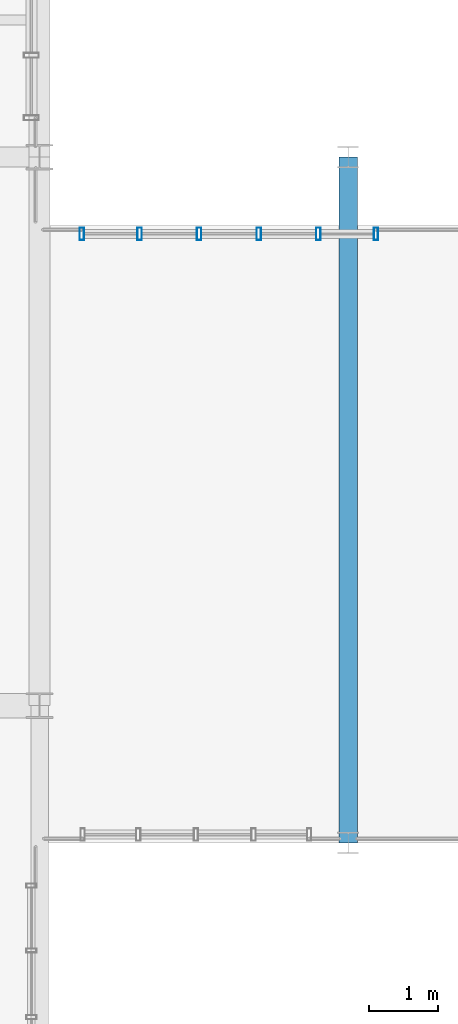
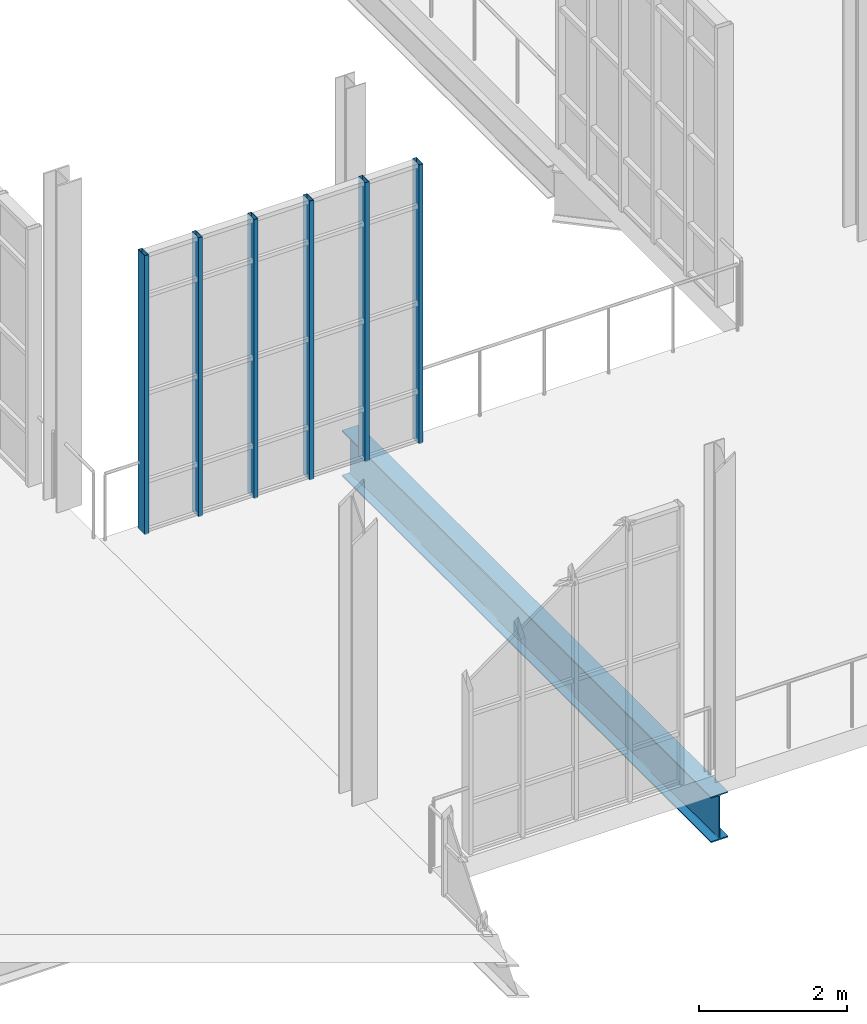
# One storey, part 25 of 189: 6 members, 1 beam, 1 element without a shape of its own.
"""IFC4 building model written with IfcOpenShell, lengths in metres."""

from ifc_helpers import new_model, si_unit, direction, frame, origin, origin_2d, place, context, subcontext, project, spatial, hollow_rectangle, i_section, extrude, material, layer, layer_set, material_profile, profile_set, type_object, element, aggregate, save


model = new_model("IFC4")

# Units and contexts
model_context = context("Model", 3, precision=1e-05, world=origin(), true_north=direction((0.0, 1.0)))
body_context = subcontext(model_context, "Body", "Model", "MODEL_VIEW")
ifc_project = project(units=[si_unit("LENGTHUNIT", "METRE"), si_unit("AREAUNIT", "SQUARE_METRE"), si_unit("VOLUMEUNIT", "CUBIC_METRE"), si_unit("PLANEANGLEUNIT", "RADIAN"), si_unit("MASSUNIT", "GRAM", prefix="KILO"), si_unit("THERMODYNAMICTEMPERATUREUNIT", "KELVIN"), si_unit("POWERUNIT", "WATT")], contexts=[model_context])

# Site, building, storey
site_placement = place(None, origin())
site = spatial("IfcSite", under=ifc_project, at=site_placement, CompositionType="ELEMENT")
building_placement = place(site_placement, origin())
building = spatial("IfcBuilding", under=site, at=building_placement, Name="Zelmaris Science Centre", CompositionType="ELEMENT")
storey_placement = place(building_placement, origin())
storey = spatial("IfcBuildingStorey", under=building, at=storey_placement, Name="L00", CompositionType="ELEMENT", Elevation=0.0)

# Curtain wall, members
ifc_material_1 = material(Name="Anodised architectural aluminium 6063-T6", Category="aluminium")
ifc_layer = layer(ifc_material_1, 0.2099609375, Name="Anodised architectural aluminium 6063-T6")
ifc_layer_set = layer_set([ifc_layer], Name="Anodised architectural aluminium 6063-T6")
curtain_wall_type = type_object("IfcCurtainWallType", Name="Curtain Wall CW-03", PredefinedType="USERDEFINED", material=ifc_layer_set)
curtain_wall_placement = place(storey_placement, origin())
curtain_wall = element("IfcCurtainWall", 1, at=curtain_wall_placement, inside=storey, type_object=curtain_wall_type, Name="L00 Unitised curtain wall 47", ObjectType="GLAZED CURTAIN WALL", PredefinedType="USERDEFINED")
ifc_material_profile_1 = material_profile(ifc_material_1, hollow_rectangle(XDim=0.06494140625, YDim=0.179931640625, WallThickness=0.00390625, at=origin_2d()), Name="ALU-MUL-65X180")
ifc_profile_set_1 = profile_set([ifc_material_profile_1], Name="Anodised architectural aluminium 6063-T6")
member_type = type_object("IfcMemberType", Name="ALU-MUL-65X180", PredefinedType="MULLION", material=ifc_profile_set_1)
member_1_placement = place(storey_placement, frame((54.61669921875, 30.881103515625, -0.014892578125), z_axis=(0.0, 0.0, 1.0), x_axis=(0.999999993163, -0.00011693706, 0.0)))
member_1 = element("IfcMember", 2, at=member_1_placement, type_object=member_type, Name="CW-03 mullion 1", PredefinedType="MULLION", context=body_context, shape_type="SweptSolid", body=[
    extrude(hollow_rectangle(XDim=0.06494140625, YDim=0.179931640625, WallThickness=0.00390625, at=origin_2d()), origin(), (0.0, 0.0, 1.0), 4.614990234375),
])
member_2_placement = place(storey_placement, frame((55.45751953125, 30.881103515625, -0.014892578125), z_axis=(0.0, 0.0, 1.0), x_axis=(0.999999993163, -0.00011693706, 0.0)))
member_2 = element("IfcMember", 3, at=member_2_placement, type_object=member_type, Name="CW-03 mullion 2", PredefinedType="MULLION", context=body_context, shape_type="SweptSolid", body=[
    extrude(hollow_rectangle(XDim=0.06494140625, YDim=0.179931640625, WallThickness=0.00390625, at=origin_2d()), origin(), (0.0, 0.0, 1.0), 4.614990234375),
])
member_3_placement = place(storey_placement, frame((56.32666015625, 30.880859375, -0.014892578125), z_axis=(0.0, 0.0, 1.0), x_axis=(0.999999993163, -0.00011693706, 0.0)))
member_3 = element("IfcMember", 4, at=member_3_placement, type_object=member_type, Name="CW-03 mullion 3", PredefinedType="MULLION", context=body_context, shape_type="SweptSolid", body=[
    extrude(hollow_rectangle(XDim=0.06494140625, YDim=0.179931640625, WallThickness=0.00390625, at=origin_2d()), origin(), (0.0, 0.0, 1.0), 4.614990234375),
])
member_4_placement = place(storey_placement, frame((57.19580078125, 30.880859375, -0.014892578125), z_axis=(0.0, 0.0, 1.0), x_axis=(0.999999993163, -0.00011693706, 0.0)))
member_4 = element("IfcMember", 5, at=member_4_placement, type_object=member_type, Name="CW-03 mullion 4", PredefinedType="MULLION", context=body_context, shape_type="SweptSolid", body=[
    extrude(hollow_rectangle(XDim=0.06494140625, YDim=0.179931640625, WallThickness=0.00390625, at=origin_2d()), origin(), (0.0, 0.0, 1.0), 4.614990234375),
])
member_5_placement = place(storey_placement, frame((58.06494140625, 30.880615234375, -0.014892578125), z_axis=(0.0, 0.0, 1.0), x_axis=(0.999999993163, -0.00011693706, 0.0)))
member_5 = element("IfcMember", 6, at=member_5_placement, type_object=member_type, Name="CW-03 mullion 5", PredefinedType="MULLION", context=body_context, shape_type="SweptSolid", body=[
    extrude(hollow_rectangle(XDim=0.06494140625, YDim=0.179931640625, WallThickness=0.00390625, at=origin_2d()), origin(), (0.0, 0.0, 1.0), 4.614990234375),
])
member_6_placement = place(storey_placement, frame((58.905517578125, 30.880615234375, -0.014892578125), z_axis=(0.0, 0.0, 1.0), x_axis=(0.999999993163, -0.00011693706, 0.0)))
member_6 = element("IfcMember", 7, at=member_6_placement, type_object=member_type, Name="CW-03 mullion 6", PredefinedType="MULLION", context=body_context, shape_type="SweptSolid", body=[
    extrude(hollow_rectangle(XDim=0.06494140625, YDim=0.179931640625, WallThickness=0.00390625, at=origin_2d()), origin(), (0.0, 0.0, 1.0), 4.614990234375),
])
aggregate(curtain_wall, [member_1, member_2, member_3, member_4, member_5, member_6])

# Beam
ifc_material_2 = material(Name="Steel ASTM A992 Grade 50", Category="steel")
ifc_material_profile_2 = material_profile(ifc_material_2, i_section(OverallWidth=0.26708984375, OverallDepth=0.757080078125, WebThickness=0.013916015625, FlangeThickness=0.019287109375, FilletRadius=0.01904296875, at=origin_2d()), Name="W30X108")
ifc_profile_set_2 = profile_set([ifc_material_profile_2], Name="Steel ASTM A992 Grade 50")
beam_type = type_object("IfcBeamType", Name="Beam G-10 W30X108", PredefinedType="BEAM", material=ifc_profile_set_2)
beam_placement = place(storey_placement, frame((58.5, 22.0, -0.718505859375), z_axis=(0.0, 1.0, 0.0), x_axis=(-1.0, 0.0, 0.0)))
element("IfcBeam", 8, at=beam_placement, inside=storey, type_object=beam_type, Name="L00 North-south girder 36", PredefinedType="BEAM", context=body_context, shape_type="SweptSolid", body=[
    extrude(i_section(OverallWidth=0.26708984375, OverallDepth=0.757080078125, WebThickness=0.013916015625, FlangeThickness=0.019287109375, FilletRadius=0.01904296875, at=origin_2d()), origin(), (0.0, 0.0, 1.0), 10.0),
])

save(model, "model.ifc")
